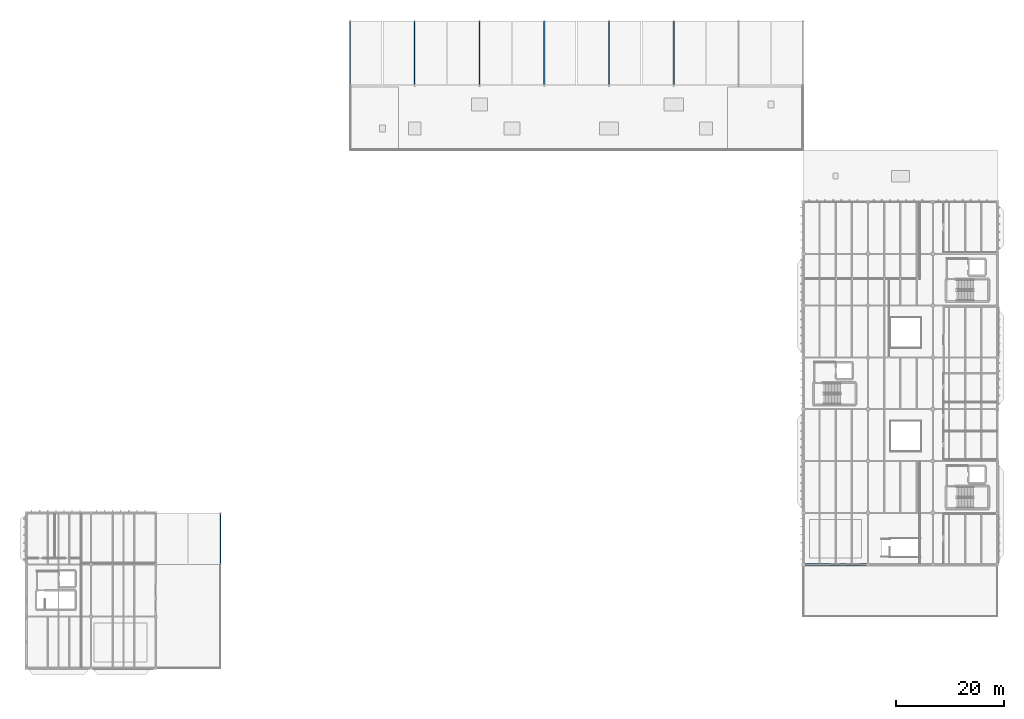
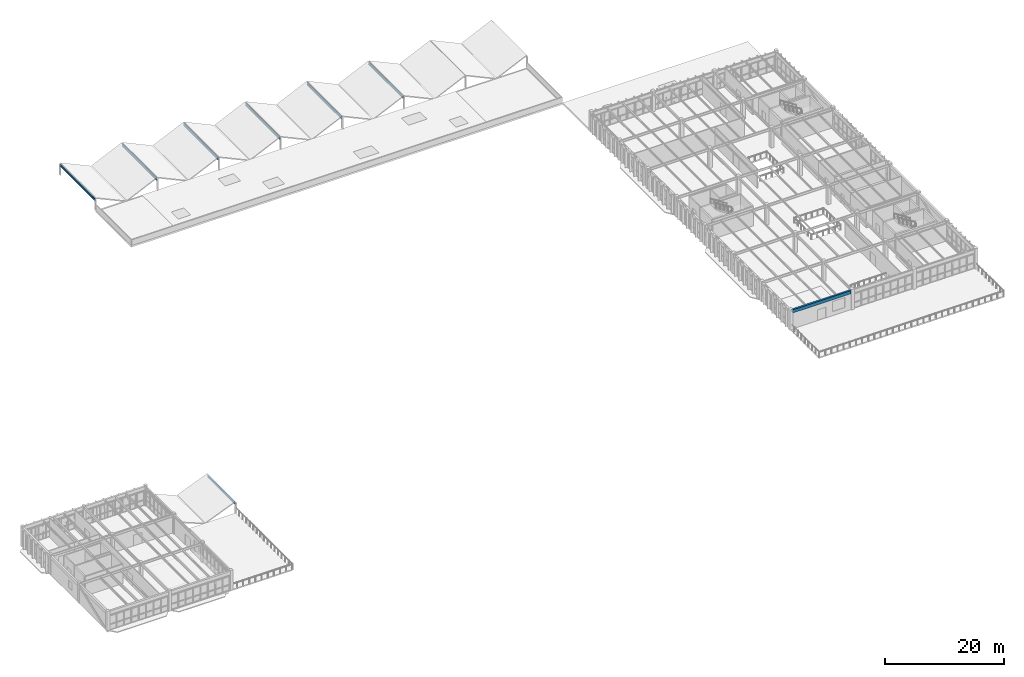
# One storey, part 23 of 83: 8 beams.
"""IFC4 building model written with IfcOpenShell, lengths in metres."""

from ifc_helpers import new_model, si_unit, direction, frame, origin, origin_2d, place, context, subcontext, project, spatial, rectangle, i_section, extrude, material, material_profile, profile_set, type_object, element, save


model = new_model("IFC4")

# Units and contexts
model_context = context("Model", 3, precision=1e-05, world=origin(), true_north=direction((0.0, 1.0)))
body_context = subcontext(model_context, "Body", "Model", "MODEL_VIEW")
ifc_project = project(units=[si_unit("LENGTHUNIT", "METRE"), si_unit("AREAUNIT", "SQUARE_METRE"), si_unit("VOLUMEUNIT", "CUBIC_METRE"), si_unit("PLANEANGLEUNIT", "RADIAN"), si_unit("MASSUNIT", "GRAM", prefix="KILO")], contexts=[model_context])

# Site, building, storey
site_placement = place(None, origin())
site = spatial("IfcSite", under=ifc_project, at=site_placement, CompositionType="ELEMENT")
building_placement = place(site_placement, origin())
building = spatial("IfcBuilding", under=site, at=building_placement, Name="Pandanus Reach Market Hall", CompositionType="ELEMENT")
storey_placement = place(building_placement, frame((0.0, 0.0, 10.199951171875)))
storey = spatial("IfcBuildingStorey", under=building, at=storey_placement, Name="L02", CompositionType="ELEMENT", Elevation=10.199951171875)

# Beams
ifc_material_1 = material(Name="Concrete N40 (40 MPa)", Category="concrete")
ifc_material_profile_1 = material_profile(ifc_material_1, rectangle(XDim=0.35009765625, YDim=0.64990234375, at=origin_2d()), Name="RC350x650", Category="LoadBearing")
ifc_profile_set_1 = profile_set([ifc_material_profile_1], Name="Concrete N40 (40 MPa)")
beam_type_1 = type_object("IfcBeamType", Name="BM-RC350-E", PredefinedType="SPANDREL", material=ifc_profile_set_1)
beam_1_placement = place(storey_placement, frame((144.298095703125, 19.199951171875, 3.625), z_axis=(1.0, 0.0, 0.0), x_axis=(0.0, 1.0, 0.0)))
element("IfcBeam", 1, at=beam_1_placement, inside=storey, type_object=beam_type_1, Name="Framing beam BM-RC350-E L02.437", PredefinedType="SPANDREL", context=body_context, shape_type="SweptSolid", body=[
    extrude(rectangle(XDim=0.35009765625, YDim=0.64990234375, at=origin_2d()), origin(), (0.0, 0.0, 1.0), 11.40380859375),
])
ifc_material_2 = material(Name="Steel Grade 350 (350 MPa)", Category="steel")
ifc_material_profile_2 = material_profile(ifc_material_2, i_section(OverallWidth=0.18994140625, OverallDepth=0.45703125, WebThickness=0.009033203125, FlangeThickness=0.014404296875, at=origin_2d()), Name="460UB74.6", Category="LoadBearing")
ifc_profile_set_2 = profile_set([ifc_material_profile_2], Name="Steel Grade 350 (350 MPa)")
beam_type_2 = type_object("IfcBeamType", Name="BM-UB460-E", PredefinedType="BEAM", material=ifc_profile_set_2)
beam_2_placement = place(storey_placement, frame((36.0, 19.322998046875, 1.91015625), z_axis=(0.0, 1.0, 0.0), x_axis=(-1.0, 0.0, 0.0)))
element("IfcBeam", 2, at=beam_2_placement, inside=storey, type_object=beam_type_2, Name="Butterfly shell ridge tie beam L02.4", PredefinedType="BEAM", context=body_context, shape_type="SweptSolid", body=[
    extrude(i_section(OverallWidth=0.18994140625, OverallDepth=0.45703125, WebThickness=0.009033203125, FlangeThickness=0.014404296875, at=origin_2d()), origin(), (0.0, 0.0, 1.0), 9.35400390625),
])
for number, where, z_axis, x_axis, name in (
    (3, (60.0, 108.123046875, 2.110107421875), (0.0, 1.0, 0.0), (-1.0, 0.0, 0.0), "Butterfly shell ridge tie beam L02.5"),
    (4, (72.0, 108.123046875, 2.110107421875), (0.0, 1.0, 0.0), (-1.0, 0.0, 0.0), "Butterfly shell ridge tie beam L02.6"),
    (5, (84.0, 108.123046875, 2.110107421875), (0.0, 1.0, 0.0), (-1.0, 0.0, 0.0), "Butterfly shell ridge tie beam L02.7"),
    (6, (96.0, 108.123046875, 2.110107421875), (0.0, 1.0, 0.0), (-1.0, 0.0, 0.0), "Butterfly shell ridge tie beam L02.8"),
    (7, (108.0, 108.123046875, 2.110107421875), (0.0, 1.0, 0.0), (-1.0, 0.0, 0.0), "Butterfly shell ridge tie beam L02.9"),
    (8, (120.0, 108.123046875, 2.110107421875), (0.0, 1.0, 0.0), (-1.0, 0.0, 0.0), "Butterfly shell ridge tie beam L02.10"),
):
    element("IfcBeam", number, at=place(storey_placement, frame(where, z_axis=z_axis, x_axis=x_axis)), inside=storey, type_object=beam_type_2, Name=name, PredefinedType="BEAM", context=body_context, shape_type="SweptSolid", body=[
        extrude(i_section(OverallWidth=0.18994140625, OverallDepth=0.45703125, WebThickness=0.009033203125, FlangeThickness=0.014404296875, at=origin_2d()), origin(), (0.0, 0.0, 1.0), 11.75390625),
    ])

save(model, "model.ifc")
